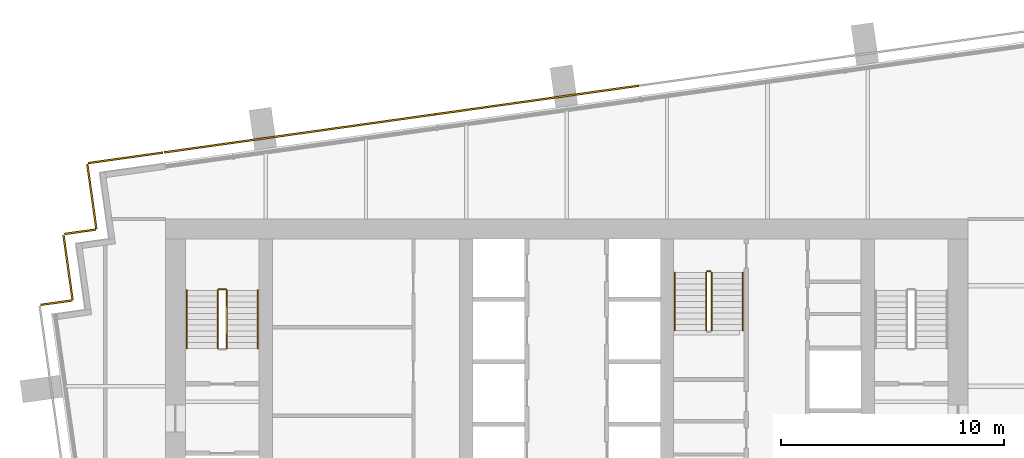
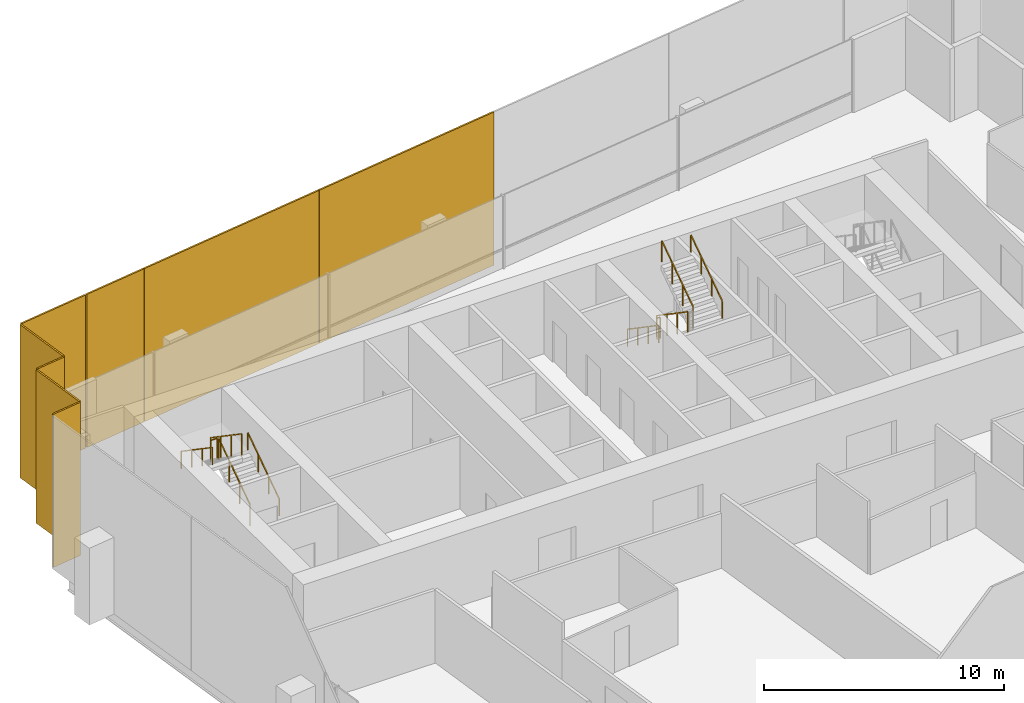
# One storey, part 16 of 17: 10 railings, 8 coverings.
"""IFC4 building model written with IfcOpenShell, lengths in metres."""

from ifc_helpers import new_model, si_unit, direction, frame, origin, origin_2d, place, context, subcontext, project, spatial, rectangle, extrude, material, layer, layer_set, type_object, element, save


model = new_model("IFC4")

# Units and contexts
model_context = context("Model", 3, precision=1e-05, world=origin(), true_north=direction((0.0, 1.0)))
body_context = subcontext(model_context, "Body", "Model", "MODEL_VIEW")
ifc_project = project(units=[si_unit("LENGTHUNIT", "METRE"), si_unit("AREAUNIT", "SQUARE_METRE"), si_unit("VOLUMEUNIT", "CUBIC_METRE"), si_unit("PLANEANGLEUNIT", "RADIAN"), si_unit("MASSUNIT", "GRAM", prefix="KILO")], contexts=[model_context])

# Site, building, storey
site_placement = place(None, origin())
site = spatial("IfcSite", under=ifc_project, at=site_placement, CompositionType="ELEMENT")
building_placement = place(site_placement, origin())
building = spatial("IfcBuilding", under=site, at=building_placement, Name="Rattan Terrace Tower", CompositionType="ELEMENT")
storey_placement = place(building_placement, frame((0.0, 0.0, 236.89990234375)))
storey = spatial("IfcBuildingStorey", under=building, at=storey_placement, Name="L54", CompositionType="ELEMENT", Elevation=236.89990234375)

# Railings
ifc_material_1 = material(Name="Powder-coated steel guard", Category="steel")
railing_type_1 = type_object("IfcRailingType", Name="Core stair guard", PredefinedType="GUARDRAIL", material=ifc_material_1)
railing_1_placement = place(storey_placement, frame((-15.25, 1.699951171875, 0.177490234375)))
element("IfcRailing", 1, at=railing_1_placement, inside=storey, type_object=railing_type_1, Name="L54 S1 stair guard 1", PredefinedType="GUARDRAIL", context=body_context, shape_type="SweptSolid", body=[
    extrude(rectangle(XDim=0.048095703125, YDim=0.048095703125, at=origin_2d()), frame((0.0, 0.0, 1.076171875), z_axis=(0.0, 0.826240473404, 0.563317565952), x_axis=(-1.0, 0.0, 0.0)), (0.0, 0.0, 1.0), 3.14697265625),
    extrude(rectangle(XDim=0.0419921875, YDim=0.0419921875, at=origin_2d()), origin(), (0.0, 0.0, 1.0), 1.052001953125),
    extrude(rectangle(XDim=0.0419921875, YDim=0.0419921875, at=origin_2d()), frame((0.0, 0.86669921875, 0.5908203125)), (0.0, 0.0, 1.0), 1.052001953125),
    extrude(rectangle(XDim=0.0419921875, YDim=0.0419921875, at=origin_2d()), frame((0.0, 1.7333984375, 1.181884765625)), (0.0, 0.0, 1.0), 1.052001953125),
    extrude(rectangle(XDim=0.0419921875, YDim=0.0419921875, at=origin_2d()), frame((0.0, 2.60009765625, 1.772705078125)), (0.0, 0.0, 1.0), 1.052001953125),
])
railing_2_placement = place(storey_placement, frame((-15.300048828125, 4.35009765625, 1.9501953125)))
element("IfcRailing", 2, at=railing_2_placement, inside=storey, type_object=railing_type_1, Name="L54 S1 stair guard 2", PredefinedType="GUARDRAIL", context=body_context, shape_type="SweptSolid", body=[
    extrude(rectangle(XDim=0.048095703125, YDim=0.048095703125, at=origin_2d()), frame((0.0, 0.0, 1.076171875), z_axis=(-1.0, 0.0, 0.0), x_axis=(0.0, -1.0, 0.0)), (0.0, 0.0, 1.0), 0.300048828125),
    extrude(rectangle(XDim=0.0419921875, YDim=0.0419921875, at=origin_2d()), origin(), (0.0, 0.0, 1.0), 1.052001953125),
    extrude(rectangle(XDim=0.0419921875, YDim=0.0419921875, at=origin_2d()), frame((-0.300048828125, 0.0, 0.0)), (0.0, 0.0, 1.0), 1.052001953125),
])
for number, where, name in (
    (3, (-15.64990234375, 4.300048828125, 2.12744140625), "L54 S1 stair guard 3"),
    (4, (6.25, 5.10009765625, 0.177490234375), "L54 S3 stair guard 1"),
):
    element("IfcRailing", number, at=place(storey_placement, frame(where)), inside=storey, type_object=railing_type_1, Name=name, PredefinedType="GUARDRAIL", context=body_context, shape_type="SweptSolid", body=[
        extrude(rectangle(XDim=0.048095703125, YDim=0.048095703125, at=origin_2d()), frame((0.0, 0.0, 1.076171875), z_axis=(0.0, -0.826240473404, 0.563317565952), x_axis=(1.0, 0.0, 0.0)), (0.0, 0.0, 1.0), 3.14697265625),
        extrude(rectangle(XDim=0.0419921875, YDim=0.0419921875, at=origin_2d()), origin(), (0.0, 0.0, 1.0), 1.052001953125),
        extrude(rectangle(XDim=0.0419921875, YDim=0.0419921875, at=origin_2d()), frame((0.0, -0.86669921875, 0.5908203125)), (0.0, 0.0, 1.0), 1.052001953125),
        extrude(rectangle(XDim=0.0419921875, YDim=0.0419921875, at=origin_2d()), frame((0.0, -1.7333984375, 1.181884765625)), (0.0, 0.0, 1.0), 1.052001953125),
        extrude(rectangle(XDim=0.0419921875, YDim=0.0419921875, at=origin_2d()), frame((0.0, -2.60009765625, 1.772705078125)), (0.0, 0.0, 1.0), 1.052001953125),
    ])
railing_3_placement = place(storey_placement, frame((6.5, 2.5, 2.12744140625)))
element("IfcRailing", 5, at=railing_3_placement, inside=storey, type_object=railing_type_1, Name="L54 S3 stair guard 3", PredefinedType="GUARDRAIL", context=body_context, shape_type="SweptSolid", body=[
    extrude(rectangle(XDim=0.048095703125, YDim=0.048095703125, at=origin_2d()), frame((0.0, 0.0, 1.076171875), z_axis=(0.0, 0.826240473404, 0.563317565952), x_axis=(-1.0, 0.0, 0.0)), (0.0, 0.0, 1.0), 3.14697265625),
    extrude(rectangle(XDim=0.0419921875, YDim=0.0419921875, at=origin_2d()), origin(), (0.0, 0.0, 1.0), 1.052001953125),
    extrude(rectangle(XDim=0.0419921875, YDim=0.0419921875, at=origin_2d()), frame((0.0, 0.86669921875, 0.5908203125)), (0.0, 0.0, 1.0), 1.052001953125),
    extrude(rectangle(XDim=0.0419921875, YDim=0.0419921875, at=origin_2d()), frame((0.0, 1.7333984375, 1.181884765625)), (0.0, 0.0, 1.0), 1.052001953125),
    extrude(rectangle(XDim=0.0419921875, YDim=0.0419921875, at=origin_2d()), frame((0.0, 2.60009765625, 1.772705078125)), (0.0, 0.0, 1.0), 1.052001953125),
])
railing_4_placement = place(storey_placement, frame((6.300048828125, 5.14990234375, 0.0)))
element("IfcRailing", 6, at=railing_4_placement, inside=storey, type_object=railing_type_1, Name="L54 S3 stair guard 4", PredefinedType="GUARDRAIL", context=body_context, shape_type="SweptSolid", body=[
    extrude(rectangle(XDim=0.048095703125, YDim=0.048095703125, at=origin_2d()), frame((0.0, 0.0, 1.076171875), z_axis=(1.0, 0.0, 0.0), x_axis=(0.0, 1.0, 0.0)), (0.0, 0.0, 1.0), 0.14990234375),
    extrude(rectangle(XDim=0.0419921875, YDim=0.0419921875, at=origin_2d()), origin(), (0.0, 0.0, 1.0), 1.052001953125),
    extrude(rectangle(XDim=0.0419921875, YDim=0.0419921875, at=origin_2d()), frame((0.14990234375, 0.0, 0.0)), (0.0, 0.0, 1.0), 1.052001953125),
])
ifc_material_2 = material(Name="Powder-coated steel handrail", Category="steel")
railing_type_2 = type_object("IfcRailingType", Name="Core stair handrail", PredefinedType="HANDRAIL", material=ifc_material_2)
railing_5_placement = place(storey_placement, frame((-13.85009765625, 1.699951171875, 0.177490234375)))
element("IfcRailing", 7, at=railing_5_placement, inside=storey, type_object=railing_type_2, Name="L54 S1 stair handrail 1", PredefinedType="HANDRAIL", context=body_context, shape_type="SweptSolid", body=[
    extrude(rectangle(XDim=0.048095703125, YDim=0.048095703125, at=origin_2d()), frame((0.0, 0.0, 0.8759765625), z_axis=(0.0, 0.826240473404, 0.563317565952), x_axis=(-1.0, 0.0, 0.0)), (0.0, 0.0, 1.0), 3.14697265625),
    extrude(rectangle(XDim=0.0419921875, YDim=0.0419921875, at=origin_2d()), origin(), (0.0, 0.0, 1.0), 0.851806640625),
    extrude(rectangle(XDim=0.0419921875, YDim=0.0419921875, at=origin_2d()), frame((0.0, 0.86669921875, 0.5908203125)), (0.0, 0.0, 1.0), 0.851806640625),
    extrude(rectangle(XDim=0.0419921875, YDim=0.0419921875, at=origin_2d()), frame((0.0, 1.7333984375, 1.181884765625)), (0.0, 0.0, 1.0), 0.851806640625),
    extrude(rectangle(XDim=0.0419921875, YDim=0.0419921875, at=origin_2d()), frame((0.0, 2.60009765625, 1.772705078125)), (0.0, 0.0, 1.0), 0.851806640625),
])
for number, where, name in (
    (8, (-17.050048828125, 4.300048828125, 2.12744140625), "L54 S1 stair handrail 2"),
    (9, (4.85009765625, 5.10009765625, 0.177490234375), "L54 S3 stair handrail 1"),
):
    element("IfcRailing", number, at=place(storey_placement, frame(where)), inside=storey, type_object=railing_type_2, Name=name, PredefinedType="HANDRAIL", context=body_context, shape_type="SweptSolid", body=[
        extrude(rectangle(XDim=0.048095703125, YDim=0.048095703125, at=origin_2d()), frame((0.0, 0.0, 0.8759765625), z_axis=(0.0, -0.826240473404, 0.563317565952), x_axis=(1.0, 0.0, 0.0)), (0.0, 0.0, 1.0), 3.14697265625),
        extrude(rectangle(XDim=0.0419921875, YDim=0.0419921875, at=origin_2d()), origin(), (0.0, 0.0, 1.0), 0.851806640625),
        extrude(rectangle(XDim=0.0419921875, YDim=0.0419921875, at=origin_2d()), frame((0.0, -0.86669921875, 0.5908203125)), (0.0, 0.0, 1.0), 0.851806640625),
        extrude(rectangle(XDim=0.0419921875, YDim=0.0419921875, at=origin_2d()), frame((0.0, -1.7333984375, 1.181884765625)), (0.0, 0.0, 1.0), 0.851806640625),
        extrude(rectangle(XDim=0.0419921875, YDim=0.0419921875, at=origin_2d()), frame((0.0, -2.60009765625, 1.772705078125)), (0.0, 0.0, 1.0), 0.851806640625),
    ])
railing_6_placement = place(storey_placement, frame((7.89990234375, 2.5, 2.12744140625)))
element("IfcRailing", 10, at=railing_6_placement, inside=storey, type_object=railing_type_2, Name="L54 S3 stair handrail 2", PredefinedType="HANDRAIL", context=body_context, shape_type="SweptSolid", body=[
    extrude(rectangle(XDim=0.048095703125, YDim=0.048095703125, at=origin_2d()), frame((0.0, 0.0, 0.8759765625), z_axis=(0.0, 0.826240473404, 0.563317565952), x_axis=(-1.0, 0.0, 0.0)), (0.0, 0.0, 1.0), 3.14697265625),
    extrude(rectangle(XDim=0.0419921875, YDim=0.0419921875, at=origin_2d()), origin(), (0.0, 0.0, 1.0), 0.851806640625),
    extrude(rectangle(XDim=0.0419921875, YDim=0.0419921875, at=origin_2d()), frame((0.0, 0.86669921875, 0.5908203125)), (0.0, 0.0, 1.0), 0.851806640625),
    extrude(rectangle(XDim=0.0419921875, YDim=0.0419921875, at=origin_2d()), frame((0.0, 1.7333984375, 1.181884765625)), (0.0, 0.0, 1.0), 0.851806640625),
    extrude(rectangle(XDim=0.0419921875, YDim=0.0419921875, at=origin_2d()), frame((0.0, 2.60009765625, 1.772705078125)), (0.0, 0.0, 1.0), 0.851806640625),
])

# Coverings
ifc_material_3 = material(Name="Perforated terracotta", Category="masonry")
ifc_layer = layer(ifc_material_3, 0.080078125)
ifc_layer_set = layer_set([ifc_layer], Name="Facade Terracotta Screen Panel HZ")
covering_type = type_object("IfcCoveringType", Name="Facade Terracotta Screen Panel HZ", PredefinedType="CLADDING", material=ifc_layer_set)
for number, where, z_axis, x_axis, name in (
    (11, (-1.325927734375, 12.837646484375, -0.18994140625), (0.0, 0.0, 1.0), (-0.990267457022, -0.139177453499, 0.0), "OUTER SKIN panel L54-16"),
    (12, (-10.467041015625, 11.552978515625, -0.18994140625), (0.0, 0.0, 1.0), (-0.990267457022, -0.139177453499, 0.0), "OUTER SKIN panel L54-17"),
):
    element("IfcCovering", number, at=place(storey_placement, frame(where, z_axis=z_axis, x_axis=x_axis)), inside=storey, type_object=covering_type, Name=name, PredefinedType="CLADDING", context=body_context, shape_type="SweptSolid", body=[
        extrude(rectangle(XDim=9.2109375, YDim=0.080078125, at=origin_2d()), origin(), (0.0, 0.0, 1.0), 7.780029296875),
    ])
covering_1_placement = place(storey_placement, frame((-16.54541015625, 10.69873046875, -0.18994140625), z_axis=(0.0, 0.0, 1.0), x_axis=(-0.990267457022, -0.139177453499, 0.0)))
element("IfcCovering", 13, at=covering_1_placement, inside=storey, type_object=covering_type, Name="OUTER SKIN panel L54-18", PredefinedType="CLADDING", context=body_context, shape_type="SweptSolid", body=[
    extrude(rectangle(XDim=3.025390625, YDim=0.080078125, at=origin_2d()), origin(), (0.0, 0.0, 1.0), 7.780029296875),
])
covering_2_placement = place(storey_placement, frame((-19.791259765625, 10.2421875, -0.18994140625), z_axis=(0.0, 0.0, 1.0), x_axis=(-0.990247240581, -0.139321220646, 0.0)))
element("IfcCovering", 14, at=covering_2_placement, inside=storey, type_object=covering_type, Name="OUTER SKIN panel L54-19", PredefinedType="CLADDING", context=body_context, shape_type="SweptSolid", body=[
    extrude(rectangle(XDim=3.3701171875, YDim=0.080078125, at=origin_2d()), origin(), (0.0, 0.0, 1.0), 7.780029296875),
])
covering_3_placement = place(storey_placement, frame((-21.299560546875, 8.505126953125, -0.18994140625), z_axis=(0.0, 0.0, 1.0), x_axis=(0.138994363123, -0.990293172258, 0.0)))
element("IfcCovering", 15, at=covering_3_placement, inside=storey, type_object=covering_type, Name="OUTER SKIN panel L54-20", PredefinedType="CLADDING", context=body_context, shape_type="SweptSolid", body=[
    extrude(rectangle(XDim=2.919921875, YDim=0.080078125, at=origin_2d()), origin(), (0.0, 0.0, 1.0), 7.780029296875),
])
covering_4_placement = place(storey_placement, frame((-21.8251953125, 6.927001953125, -0.18994140625), z_axis=(0.0, 0.0, 1.0), x_axis=(-0.990332587523, -0.138713251317, 0.0)))
element("IfcCovering", 16, at=covering_4_placement, inside=storey, type_object=covering_type, Name="OUTER SKIN panel L54-21", PredefinedType="CLADDING", context=body_context, shape_type="SweptSolid", body=[
    extrude(rectangle(XDim=1.419677734375, YDim=0.080078125, at=origin_2d()), origin(), (0.0, 0.0, 1.0), 7.780029296875),
])
covering_5_placement = place(storey_placement, frame((-22.3671875, 5.326171875, -0.18994140625), z_axis=(0.0, 0.0, 1.0), x_axis=(0.139321220646, -0.990247240581, 0.0)))
element("IfcCovering", 17, at=covering_5_placement, inside=storey, type_object=covering_type, Name="OUTER SKIN panel L54-22", PredefinedType="CLADDING", context=body_context, shape_type="SweptSolid", body=[
    extrude(rectangle(XDim=2.92041015625, YDim=0.080078125, at=origin_2d()), origin(), (0.0, 0.0, 1.0), 7.780029296875),
])
covering_6_placement = place(storey_placement, frame((-22.892578125, 3.747314453125, -0.18994140625), z_axis=(0.0, 0.0, 1.0), x_axis=(-0.99025370695, -0.139275252184, 0.0)))
element("IfcCovering", 18, at=covering_6_placement, inside=storey, type_object=covering_type, Name="OUTER SKIN panel L54-23", PredefinedType="CLADDING", context=body_context, shape_type="SweptSolid", body=[
    extrude(rectangle(XDim=1.420654296875, YDim=0.080078125, at=origin_2d()), origin(), (0.0, 0.0, 1.0), 7.780029296875),
])

save(model, "model.ifc")
